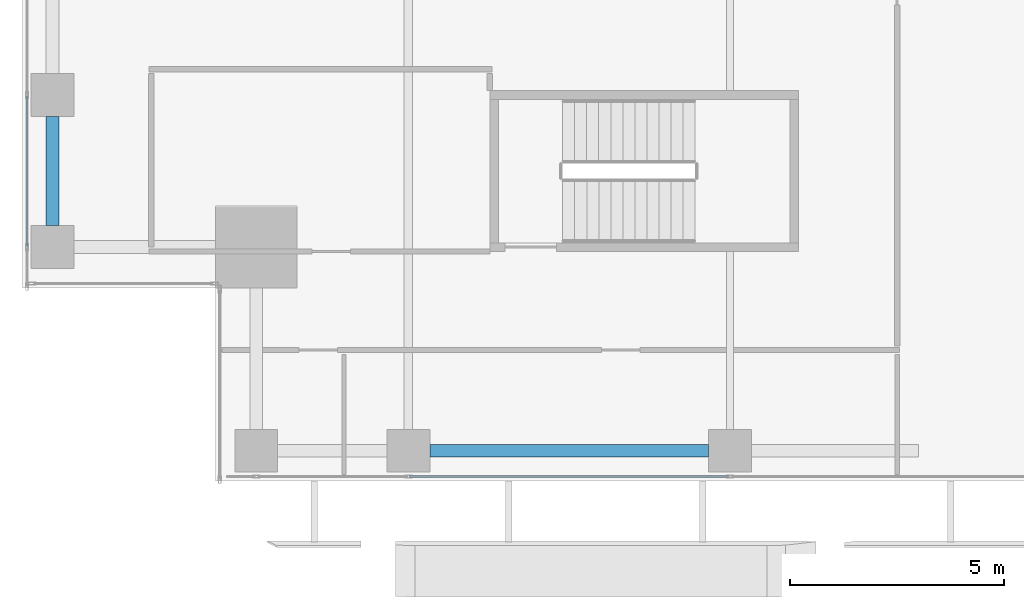
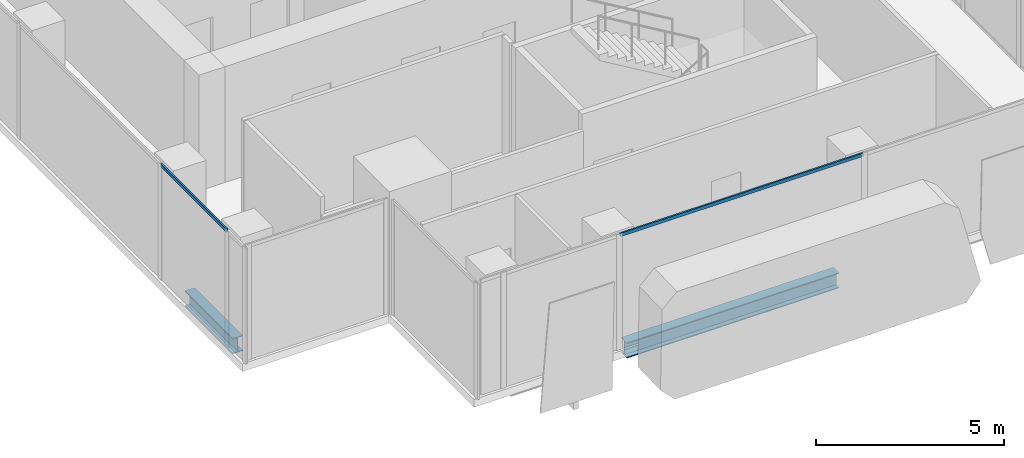
# One storey, part 3 of 40: 2 beams, 2 members, 2 elements without a shape of their own.
"""IFC4 building model written with IfcOpenShell, lengths in metres."""

from ifc_helpers import new_model, si_unit, direction, frame, origin, origin_2d, place, context, subcontext, project, spatial, hollow_rectangle, i_section, extrude, source, transform, mapped, material, material_profile, profile_set, type_object, element, aggregate, save


model = new_model("IFC4")

# Units and contexts
model_context = context("Model", 3, precision=1e-05, world=origin(), true_north=direction((0.0, 1.0)))
body_context = subcontext(model_context, "Body", "Model", "MODEL_VIEW")
ifc_project = project(units=[si_unit("LENGTHUNIT", "METRE"), si_unit("AREAUNIT", "SQUARE_METRE"), si_unit("VOLUMEUNIT", "CUBIC_METRE"), si_unit("PLANEANGLEUNIT", "RADIAN"), si_unit("MASSUNIT", "GRAM", prefix="KILO")], contexts=[model_context])

# Site, building, storey
site_placement = place(None, origin())
site = spatial("IfcSite", under=ifc_project, at=site_placement, CompositionType="ELEMENT")
building_placement = place(site_placement, origin())
building = spatial("IfcBuilding", under=site, at=building_placement, Name="Khomas Fold Tower", CompositionType="ELEMENT")
storey_placement = place(building_placement, frame((0.0, 0.0, 180.699951171875)))
storey = spatial("IfcBuildingStorey", under=building, at=storey_placement, Name="L39", CompositionType="ELEMENT", Elevation=180.699951171875)

# Beams
ifc_material_1 = material(Name="Steel S355", Category="steel")
ifc_material_profile_1 = material_profile(ifc_material_1, i_section(OverallWidth=0.300048828125, OverallDepth=0.5, WebThickness=0.014404296875, FlangeThickness=0.028076171875, at=origin_2d()), Name="HE 500 B")
ifc_profile_set_1 = profile_set([ifc_material_profile_1], Name="Steel S355")
beam_type = type_object("IfcBeamType", Name="HE 500 B spandrel SB3", PredefinedType="SPANDREL", material=ifc_profile_set_1)
shared_shape_1 = source(origin(), body_context, "Body", "SweptSolid", [
    extrude(i_section(OverallWidth=0.300048828125, OverallDepth=0.5, WebThickness=0.014404296875, FlangeThickness=0.028076171875, at=origin_2d()), origin(), (0.0, 0.0, 1.0), 2.550048828125),
])
beam_1_placement = place(storey_placement, frame((3.699951171875, 8.949951171875, -0.5), z_axis=(0.0, 1.0, 0.0), x_axis=(-1.0, 0.0, 0.0)))
element("IfcBeam", 1, at=beam_1_placement, inside=storey, type_object=beam_type, Name="SB3", PredefinedType="SPANDREL", context=body_context, shape_type="MappedRepresentation", body=[
    mapped(shared_shape_1, transform((0.0, 0.0, 0.0))),
])
shared_shape_2 = source(origin(), body_context, "Body", "SweptSolid", [
    extrude(i_section(OverallWidth=0.300048828125, OverallDepth=0.5, WebThickness=0.014404296875, FlangeThickness=0.028076171875, at=origin_2d()), origin(), (0.0, 0.0, 1.0), 6.5),
])
beam_2_placement = place(storey_placement, frame((12.5, 3.699951171875, -0.5), z_axis=(1.0, 0.0, 0.0), x_axis=(0.0, 1.0, 0.0)))
element("IfcBeam", 2, at=beam_2_placement, inside=storey, type_object=beam_type, Name="SB3", PredefinedType="SPANDREL", context=body_context, shape_type="MappedRepresentation", body=[
    mapped(shared_shape_2, transform((0.0, 0.0, 0.0))),
])

# Curtain wall, member
ifc_material_2 = material(Name="Aluminium framed double glazing", Category="aluminium")
curtain_wall_type = type_object("IfcCurtainWallType", Name="SK-Unitised clear-glass wall, office floors CW2", PredefinedType="NOTDEFINED", material=ifc_material_2)
curtain_wall_1_placement = place(storey_placement, origin())
curtain_wall_1 = element("IfcCurtainWall", 3, at=curtain_wall_1_placement, inside=storey, type_object=curtain_wall_type, Name="CW2 run L39 18-0", PredefinedType="NOTDEFINED")
ifc_material_3 = material(Name="Aluminium", Category="aluminium")
ifc_material_profile_2 = material_profile(ifc_material_3, hollow_rectangle(XDim=0.050048828125, YDim=0.110107421875, WallThickness=0.00390625, at=origin_2d()), Name="SK-Unitised clear-glass wall, office floors transom CW2-T")
ifc_profile_set_2 = profile_set([ifc_material_profile_2], Name="Aluminium")
member_type = type_object("IfcMemberType", Name="SK-Unitised clear-glass wall, office floors transom CW2-T", PredefinedType="USERDEFINED", material=ifc_profile_set_2)
shared_shape_3 = source(origin(), body_context, "Body", "SweptSolid", [
    extrude(hollow_rectangle(XDim=0.050048828125, YDim=0.110107421875, WallThickness=0.00390625, at=origin_2d()), origin(), (0.0, 0.0, 1.0), 3.489990234375),
])
member_1_placement = place(storey_placement, frame((3.10009765625, 11.969970703125, 3.695068359375), z_axis=(0.0, -1.0, 0.0), x_axis=(1.0, 0.0, 0.0)))
member_1 = element("IfcMember", 4, at=member_1_placement, type_object=member_type, Name="CW2 transom 7", ObjectType="TRANSOM", PredefinedType="USERDEFINED", context=body_context, shape_type="MappedRepresentation", body=[
    mapped(shared_shape_3, transform((0.0, 0.0, 0.0))),
])
aggregate(curtain_wall_1, [member_1])

curtain_wall_2_placement = place(storey_placement, origin())
curtain_wall_2 = element("IfcCurtainWall", 5, at=curtain_wall_2_placement, inside=storey, type_object=curtain_wall_type, Name="CW2 run L39 01-0", PredefinedType="NOTDEFINED")
shared_shape_4 = source(origin(), body_context, "Body", "SweptSolid", [
    extrude(hollow_rectangle(XDim=0.050048828125, YDim=0.110107421875, WallThickness=0.00390625, at=origin_2d()), origin(), (0.0, 0.0, 1.0), 7.43994140625),
])
member_2_placement = place(storey_placement, frame((12.030029296875, 3.10009765625, 3.695068359375), z_axis=(1.0, 0.0, 0.0), x_axis=(0.0, 1.0, 0.0)))
member_2 = element("IfcMember", 6, at=member_2_placement, type_object=member_type, Name="CW2 transom 3", ObjectType="TRANSOM", PredefinedType="USERDEFINED", context=body_context, shape_type="MappedRepresentation", body=[
    mapped(shared_shape_4, transform((0.0, 0.0, 0.0))),
])
aggregate(curtain_wall_2, [member_2])

save(model, "model.ifc")
